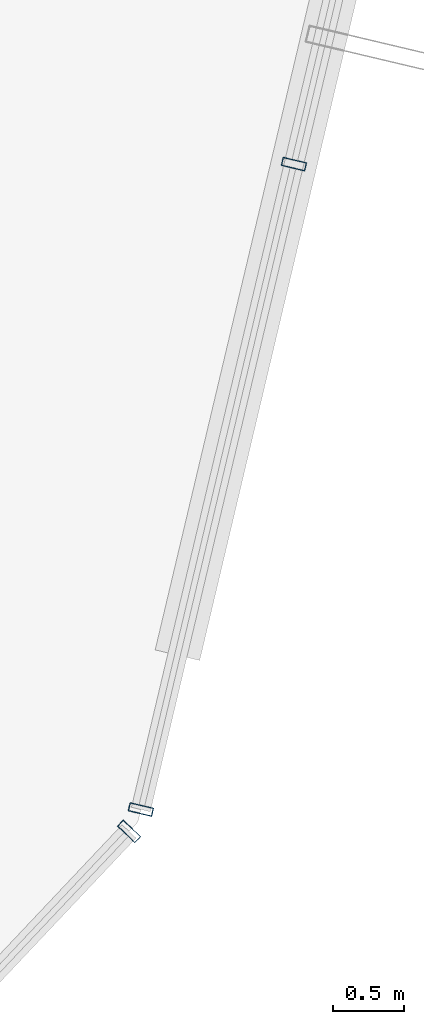
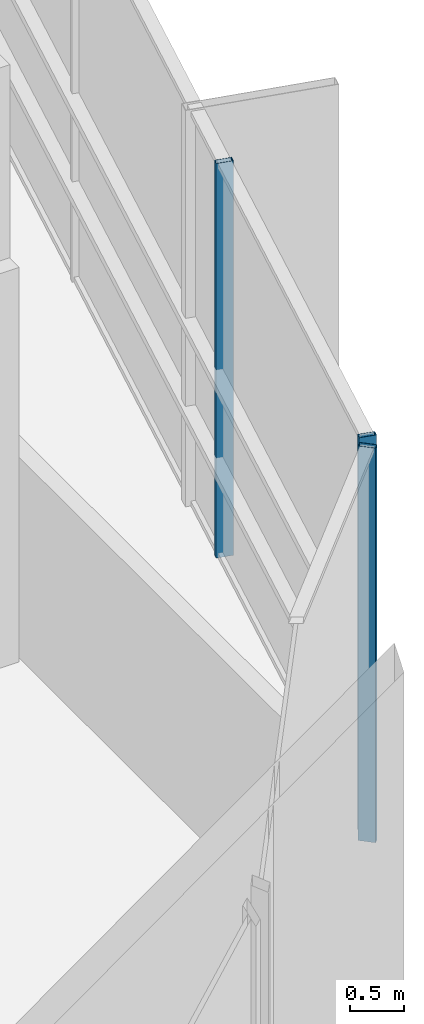
# One storey, part 16 of 41: 3 members, 2 elements without a shape of their own.
"""IFC4 building model written with IfcOpenShell, lengths in metres."""

from ifc_helpers import new_model, si_unit, direction, frame, origin, origin_2d, place, context, subcontext, project, spatial, hollow_rectangle, extrude, source, transform, mapped, material, layer, layer_set, material_profile, profile_set, type_object, element, aggregate, save


model = new_model("IFC4")

# Units and contexts
model_context = context("Model", 3, precision=1e-05, world=origin(), true_north=direction((0.0, 1.0)))
body_context = subcontext(model_context, "Body", "Model", "MODEL_VIEW")
ifc_project = project(units=[si_unit("LENGTHUNIT", "METRE"), si_unit("AREAUNIT", "SQUARE_METRE"), si_unit("VOLUMEUNIT", "CUBIC_METRE"), si_unit("PLANEANGLEUNIT", "RADIAN"), si_unit("MASSUNIT", "GRAM", prefix="KILO")], contexts=[model_context])

# Site, building, storey
site_placement = place(None, origin())
site = spatial("IfcSite", under=ifc_project, at=site_placement, CompositionType="ELEMENT")
building_placement = place(site_placement, origin())
building = spatial("IfcBuilding", under=site, at=building_placement, Name="Veraguas Prism Commons", CompositionType="ELEMENT")
storey_placement = place(building_placement, frame((0.0, 0.0, 80.35009765625)))
storey = spatial("IfcBuildingStorey", under=building, at=storey_placement, Name="L22", CompositionType="ELEMENT", Elevation=80.35009765625)

# Curtain wall, members
ifc_material = material(Name="Anodised aluminium EN AW-6063 T6", Category="aluminium")
ifc_layer = layer(ifc_material, 0.169921875, Name="Unitised Flush Curtain Wall Zone 1", Category="aluminium")
ifc_layer_set = layer_set([ifc_layer], Name="Anodised aluminium EN AW-6063 T6")
curtain_wall_type = type_object("IfcCurtainWallType", Name="Unitised Flush Curtain Wall Zone 1", PredefinedType="NOTDEFINED", material=ifc_layer_set)
curtain_wall_1_placement = place(storey_placement, origin())
curtain_wall_1 = element("IfcCurtainWall", 1, at=curtain_wall_1_placement, inside=storey, type_object=curtain_wall_type, Name="Tower Facade Curtain Wall L22-F6", PredefinedType="NOTDEFINED")
ifc_material_profile = material_profile(ifc_material, hollow_rectangle(XDim=0.06005859375, YDim=0.169921875, WallThickness=0.00390625, at=origin_2d()), Name="AL60X170X4")
ifc_profile_set = profile_set([ifc_material_profile], Name="Anodised aluminium EN AW-6063 T6")
member_type = type_object("IfcMemberType", Name="Curtain Wall Mullion Lower AL 60x170x4", PredefinedType="MULLION", material=ifc_profile_set)
shared_shape = source(origin(), body_context, "Body", "SweptSolid", [
    extrude(hollow_rectangle(XDim=0.06005859375, YDim=0.169921875, WallThickness=0.00390625, at=origin_2d()), origin(), (0.0, 0.0, 1.0), 4.47998046875),
])
member_1_placement = place(storey_placement, frame((42.0751953125, 10.143798828125, 0.0), z_axis=(0.0, 0.0, 1.0), x_axis=(0.2307341828, 0.97301682251, 0.0)))
member_1 = element("IfcMember", 2, at=member_1_placement, type_object=member_type, Name="CW-Z1 Mullion 1", PredefinedType="MULLION", context=body_context, shape_type="MappedRepresentation", body=[
    mapped(shared_shape, transform((0.0, 0.0, 0.0), scale=1.0)),
])
member_2_placement = place(storey_placement, frame((43.14599609375, 14.659423828125, 0.0), z_axis=(0.0, 0.0, 1.0), x_axis=(0.2307341828, 0.97301682251, 0.0)))
member_2 = element("IfcMember", 3, at=member_2_placement, type_object=member_type, Name="CW-Z1 Mullion 2", PredefinedType="MULLION", context=body_context, shape_type="MappedRepresentation", body=[
    mapped(shared_shape, transform((0.0, 0.0, 0.0), scale=1.0)),
])
aggregate(curtain_wall_1, [member_1, member_2])

# Curtain wall, member
curtain_wall_2_placement = place(storey_placement, origin())
curtain_wall_2 = element("IfcCurtainWall", 4, at=curtain_wall_2_placement, inside=storey, type_object=curtain_wall_type, Name="Chamfer Curtain Wall L22-C6", PredefinedType="NOTDEFINED")
member_3_placement = place(storey_placement, frame((41.99267578125, 9.99072265625, 0.0), z_axis=(0.0, 0.0, 1.0), x_axis=(0.686318650749, 0.727300975961, 0.0)))
member_3 = element("IfcMember", 5, at=member_3_placement, type_object=member_type, Name="CW-Z1 Mullion 2", PredefinedType="MULLION", context=body_context, shape_type="MappedRepresentation", body=[
    mapped(shared_shape, transform((0.0, 0.0, 0.0), scale=1.0)),
])
aggregate(curtain_wall_2, [member_3])

save(model, "model.ifc")
